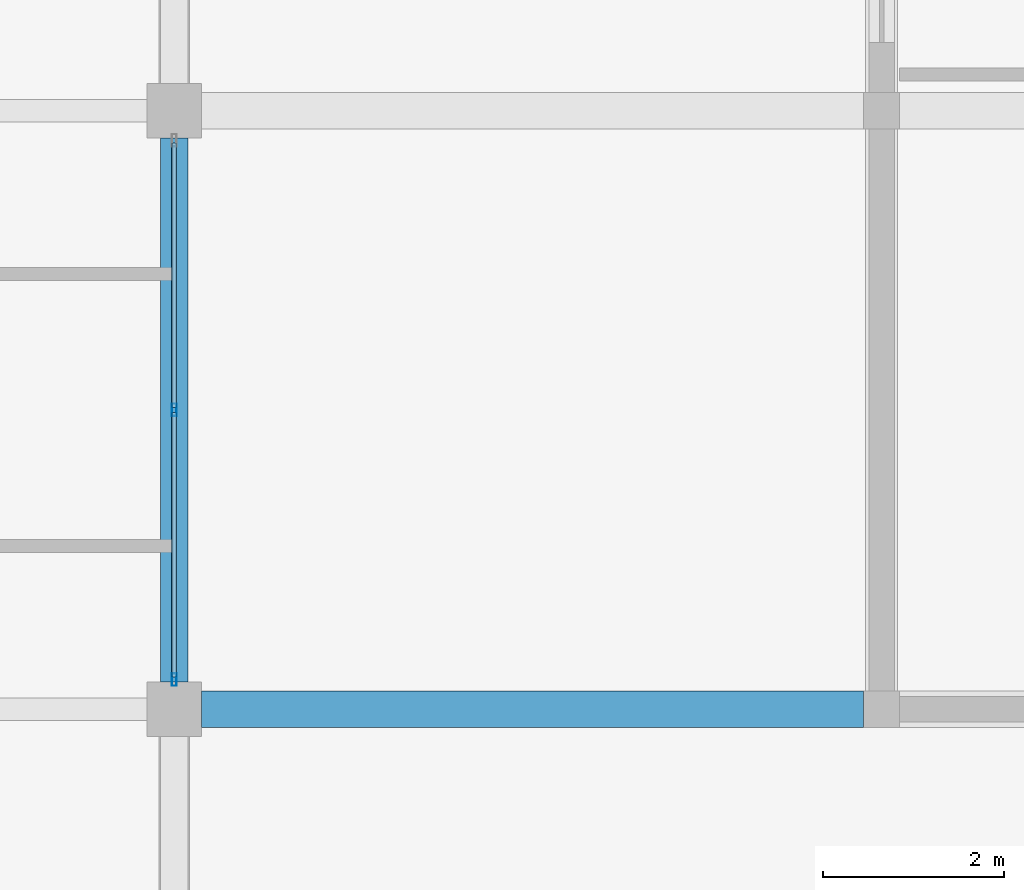
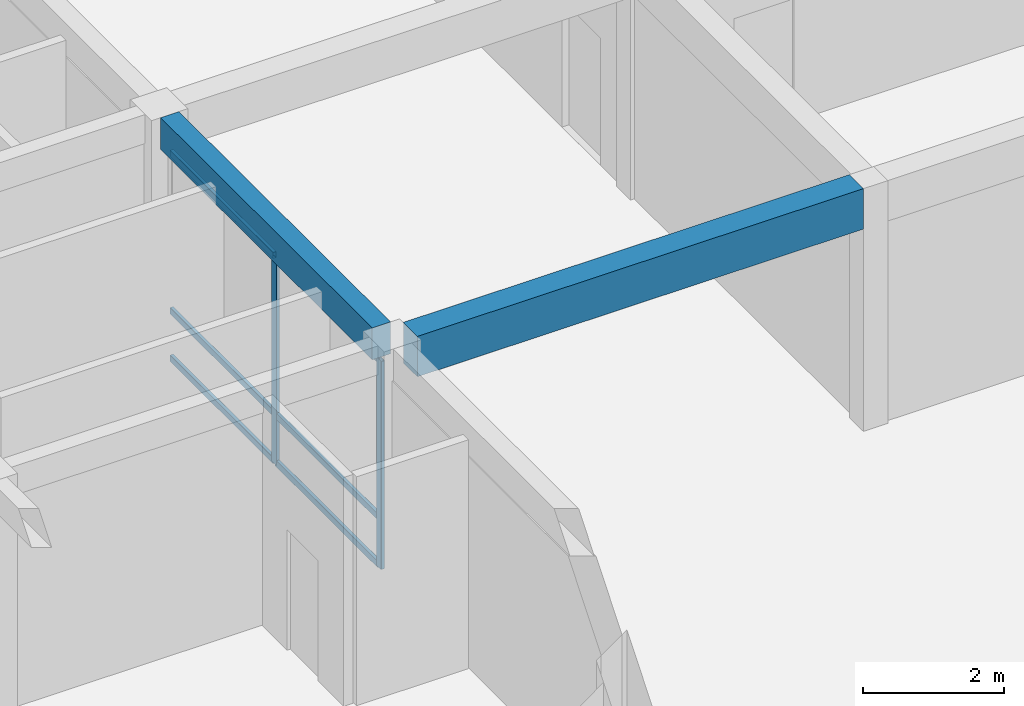
# One storey, part 37 of 92: 8 members, 2 beams, 1 element without a shape of its own.
"""IFC4 building model written with IfcOpenShell, lengths in metres."""

from ifc_helpers import new_model, si_unit, direction, frame, origin, origin_2d, place, context, subcontext, project, spatial, rectangle, hollow_rectangle, extrude, material, material_profile, profile_set, type_object, element, aggregate, save


model = new_model("IFC4")

# Units and contexts
model_context = context("Model", 3, precision=1e-05, world=origin(), true_north=direction((0.0, 1.0)))
body_context = subcontext(model_context, "Body", "Model", "MODEL_VIEW")
ifc_project = project(units=[si_unit("LENGTHUNIT", "METRE"), si_unit("AREAUNIT", "SQUARE_METRE"), si_unit("VOLUMEUNIT", "CUBIC_METRE"), si_unit("PLANEANGLEUNIT", "RADIAN"), si_unit("MASSUNIT", "GRAM", prefix="KILO")], contexts=[model_context])

# Site, building, storey
site_placement = place(None, origin())
site = spatial("IfcSite", under=ifc_project, at=site_placement, CompositionType="ELEMENT")
building_placement = place(site_placement, origin())
building = spatial("IfcBuilding", under=site, at=building_placement, Name="Kernevlak Ridge Housing Community", CompositionType="ELEMENT")
storey_placement = place(building_placement, frame((0.0, 0.0, 4.199951171875)))
storey = spatial("IfcBuildingStorey", under=building, at=storey_placement, Name="L01", CompositionType="ELEMENT", Elevation=4.199951171875)

# Beam
ifc_material_1 = material(Name="Concrete C35/45", Category="concrete")
ifc_material_profile_1 = material_profile(ifc_material_1, rectangle(XDim=0.39990234375, YDim=0.699951171875, at=origin_2d()), Name="RC 400x700")
ifc_profile_set_1 = profile_set([ifc_material_profile_1], Name="Concrete C35/45")
beam_type_1 = type_object("IfcBeamType", Name="B-01", PredefinedType="BEAM", material=ifc_profile_set_1)
beam_1_placement = place(storey_placement, frame((48.89990234375, 82.60009765625, 3.85009765625), z_axis=(1.0, 0.0, 0.0), x_axis=(0.0, 1.0, 0.0)))
element("IfcBeam", 1, at=beam_1_placement, inside=storey, type_object=beam_type_1, Name="Beam B-01 L01 2423", PredefinedType="BEAM", context=body_context, shape_type="SweptSolid", body=[
    extrude(rectangle(XDim=0.39990234375, YDim=0.699951171875, at=origin_2d()), origin(), (0.0, 0.0, 1.0), 7.300048828125),
])

# Curtain wall, members
ifc_material_2 = material(Name="Aluminium EN AW-6060 anodised and laminated glass", Category="aluminium")
curtain_wall_type = type_object("IfcCurtainWallType", Name="CW-11", PredefinedType="NOTDEFINED", material=ifc_material_2)
curtain_wall_placement = place(storey_placement, origin())
curtain_wall = element("IfcCurtainWall", 2, at=curtain_wall_placement, inside=storey, type_object=curtain_wall_type, Name="Curtain wall CW-11 CW-L01-006", PredefinedType="NOTDEFINED")
ifc_material_3 = material(Name="Aluminium EN AW-6060 anodised", Category="aluminium")
ifc_material_profile_2 = material_profile(ifc_material_3, hollow_rectangle(XDim=0.054931640625, YDim=0.139892578125, WallThickness=0.00390625, InnerFilletRadius=0.001953125, OuterFilletRadius=0.00390625, at=origin_2d()), Name="ALU 55x140x4")
ifc_profile_set_2 = profile_set([ifc_material_profile_2], Name="Aluminium EN AW-6060 anodised")
member_type_1 = type_object("IfcMemberType", Name="MU-01", PredefinedType="MULLION", material=ifc_profile_set_2)
member_1_placement = place(storey_placement, frame((48.60009765625, 82.927490234375, 0.0), z_axis=(0.0, 0.0, 1.0), x_axis=(-1.0, 0.0, 0.0)))
member_1 = element("IfcMember", 3, at=member_1_placement, type_object=member_type_1, Name="CW-11 mullion 1", PredefinedType="MULLION", context=body_context, shape_type="SweptSolid", body=[
    extrude(hollow_rectangle(XDim=0.054931640625, YDim=0.139892578125, WallThickness=0.00390625, InnerFilletRadius=0.001953125, OuterFilletRadius=0.00390625, at=origin_2d()), origin(), (0.0, 0.0, 1.0), 3.60009765625),
])
member_2_placement = place(storey_placement, frame((48.60009765625, 85.89990234375, 0.0), z_axis=(0.0, 0.0, 1.0), x_axis=(-1.0, 0.0, 0.0)))
member_2 = element("IfcMember", 4, at=member_2_placement, type_object=member_type_1, Name="CW-11 mullion 2", PredefinedType="MULLION", context=body_context, shape_type="SweptSolid", body=[
    extrude(hollow_rectangle(XDim=0.054931640625, YDim=0.139892578125, WallThickness=0.00390625, InnerFilletRadius=0.001953125, OuterFilletRadius=0.00390625, at=origin_2d()), origin(), (0.0, 0.0, 1.0), 3.60009765625),
])

# Beam
ifc_material_profile_3 = material_profile(ifc_material_1, rectangle(XDim=0.300048828125, YDim=0.550048828125, at=origin_2d()), Name="RC 300x550")
ifc_profile_set_3 = profile_set([ifc_material_profile_3], Name="Concrete C35/45")
beam_type_2 = type_object("IfcBeamType", Name="SP-01", PredefinedType="SPANDREL", material=ifc_profile_set_3)
beam_2_placement = place(storey_placement, frame((48.60009765625, 82.89990234375, 3.925048828125), z_axis=(0.0, 1.0, 0.0), x_axis=(-1.0, 0.0, 0.0)))
element("IfcBeam", 5, at=beam_2_placement, inside=storey, type_object=beam_type_2, Name="Beam SP-01 L01 107", PredefinedType="SPANDREL", context=body_context, shape_type="SweptSolid", body=[
    extrude(rectangle(XDim=0.300048828125, YDim=0.550048828125, at=origin_2d()), origin(), (0.0, 0.0, 1.0), 6.0),
])

# Member
ifc_material_profile_4 = material_profile(ifc_material_3, hollow_rectangle(XDim=0.054931640625, YDim=0.110107421875, WallThickness=0.00390625, InnerFilletRadius=0.001953125, OuterFilletRadius=0.00390625, at=origin_2d()), Name="ALU 55x110x4")
ifc_profile_set_4 = profile_set([ifc_material_profile_4], Name="Aluminium EN AW-6060 anodised")
member_type_2 = type_object("IfcMemberType", Name="TM-01", PredefinedType="USERDEFINED", material=ifc_profile_set_4)
member_3_placement = place(storey_placement, frame((48.60009765625, 82.955078125, 0.027587890625), z_axis=(0.0, 1.0, 0.0), x_axis=(-1.0, 0.0, 0.0)))
member_3 = element("IfcMember", 6, at=member_3_placement, type_object=member_type_2, Name="CW-11 transom 1.1", ObjectType="TRANSOM", PredefinedType="USERDEFINED", context=body_context, shape_type="SweptSolid", body=[
    extrude(hollow_rectangle(XDim=0.054931640625, YDim=0.110107421875, WallThickness=0.00390625, InnerFilletRadius=0.001953125, OuterFilletRadius=0.00390625, at=origin_2d()), origin(), (0.0, 0.0, 1.0), 2.91748046875),
])

member_4_placement = place(storey_placement, frame((48.60009765625, 82.955078125, 0.85009765625), z_axis=(0.0, 1.0, 0.0), x_axis=(-1.0, 0.0, 0.0)))
member_4 = element("IfcMember", 7, at=member_4_placement, type_object=member_type_2, Name="CW-11 transom 1.2", ObjectType="TRANSOM", PredefinedType="USERDEFINED", context=body_context, shape_type="SweptSolid", body=[
    extrude(hollow_rectangle(XDim=0.054931640625, YDim=0.110107421875, WallThickness=0.00390625, InnerFilletRadius=0.001953125, OuterFilletRadius=0.00390625, at=origin_2d()), origin(), (0.0, 0.0, 1.0), 2.91748046875),
])

member_5_placement = place(storey_placement, frame((48.60009765625, 82.955078125, 3.572509765625), z_axis=(0.0, 1.0, 0.0), x_axis=(-1.0, 0.0, 0.0)))
member_5 = element("IfcMember", 8, at=member_5_placement, type_object=member_type_2, Name="CW-11 transom 1.3", ObjectType="TRANSOM", PredefinedType="USERDEFINED", context=body_context, shape_type="SweptSolid", body=[
    extrude(hollow_rectangle(XDim=0.054931640625, YDim=0.110107421875, WallThickness=0.00390625, InnerFilletRadius=0.001953125, OuterFilletRadius=0.00390625, at=origin_2d()), origin(), (0.0, 0.0, 1.0), 2.91748046875),
])

member_6_placement = place(storey_placement, frame((48.60009765625, 85.927490234375, 0.027587890625), z_axis=(0.0, 1.0, 0.0), x_axis=(-1.0, 0.0, 0.0)))
member_6 = element("IfcMember", 9, at=member_6_placement, type_object=member_type_2, Name="CW-11 transom 2.1", ObjectType="TRANSOM", PredefinedType="USERDEFINED", context=body_context, shape_type="SweptSolid", body=[
    extrude(hollow_rectangle(XDim=0.054931640625, YDim=0.110107421875, WallThickness=0.00390625, InnerFilletRadius=0.001953125, OuterFilletRadius=0.00390625, at=origin_2d()), origin(), (0.0, 0.0, 1.0), 2.91748046875),
])

member_7_placement = place(storey_placement, frame((48.60009765625, 85.927490234375, 0.85009765625), z_axis=(0.0, 1.0, 0.0), x_axis=(-1.0, 0.0, 0.0)))
member_7 = element("IfcMember", 10, at=member_7_placement, type_object=member_type_2, Name="CW-11 transom 2.2", ObjectType="TRANSOM", PredefinedType="USERDEFINED", context=body_context, shape_type="SweptSolid", body=[
    extrude(hollow_rectangle(XDim=0.054931640625, YDim=0.110107421875, WallThickness=0.00390625, InnerFilletRadius=0.001953125, OuterFilletRadius=0.00390625, at=origin_2d()), origin(), (0.0, 0.0, 1.0), 2.91748046875),
])

member_8_placement = place(storey_placement, frame((48.60009765625, 85.927490234375, 3.572509765625), z_axis=(0.0, 1.0, 0.0), x_axis=(-1.0, 0.0, 0.0)))
member_8 = element("IfcMember", 11, at=member_8_placement, type_object=member_type_2, Name="CW-11 transom 2.3", ObjectType="TRANSOM", PredefinedType="USERDEFINED", context=body_context, shape_type="SweptSolid", body=[
    extrude(hollow_rectangle(XDim=0.054931640625, YDim=0.110107421875, WallThickness=0.00390625, InnerFilletRadius=0.001953125, OuterFilletRadius=0.00390625, at=origin_2d()), origin(), (0.0, 0.0, 1.0), 2.91748046875),
])

aggregate(curtain_wall, [member_1, member_2, member_3, member_4, member_5, member_6, member_7, member_8])

save(model, "model.ifc")
